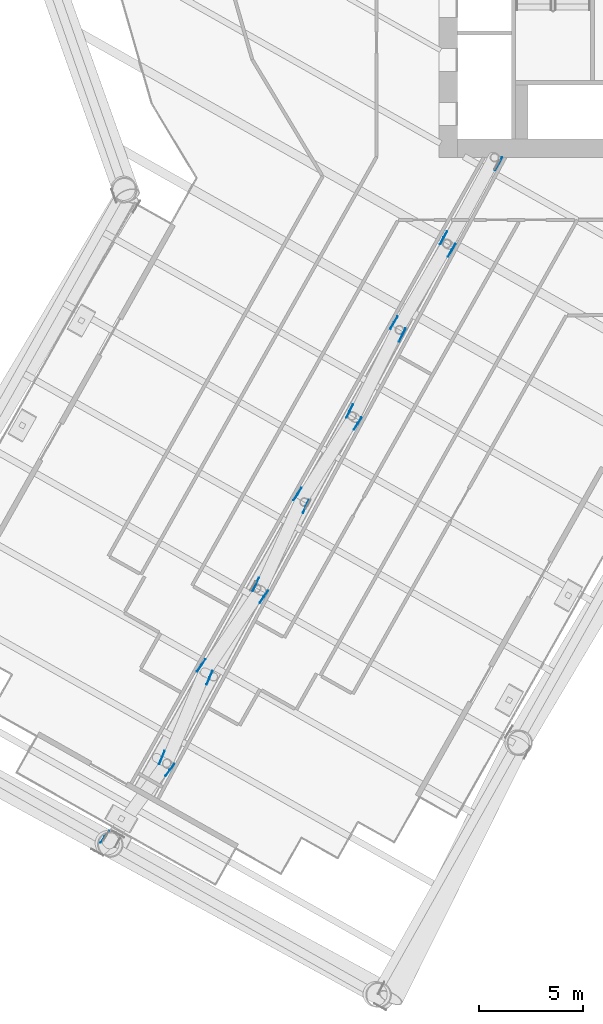
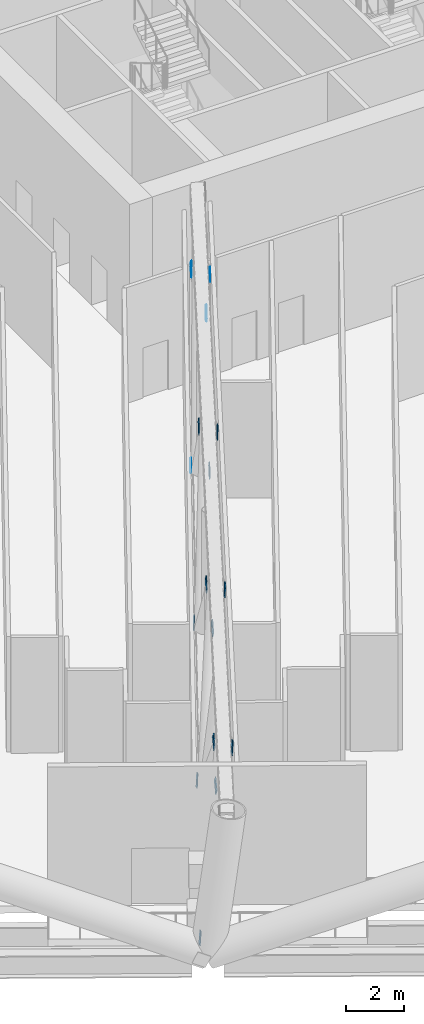
# One storey, part 18 of 39: 16 discrete accessories.
"""IFC4 building model written with IfcOpenShell, lengths in metres."""

from ifc_helpers import new_model, si_unit, direction, frame, origin, origin_2d, place, context, subcontext, project, spatial, rectangle, extrude, material, material_profile, profile_set, type_object, element, save


model = new_model("IFC4")

# Units and contexts
model_context = context("Model", 3, precision=1e-05, world=origin(), true_north=direction((0.0, 1.0)))
body_context = subcontext(model_context, "Body", "Model", "MODEL_VIEW")
ifc_project = project(units=[si_unit("LENGTHUNIT", "METRE"), si_unit("AREAUNIT", "SQUARE_METRE"), si_unit("VOLUMEUNIT", "CUBIC_METRE"), si_unit("PLANEANGLEUNIT", "RADIAN"), si_unit("MASSUNIT", "GRAM", prefix="KILO")], contexts=[model_context])

# Site, building, storey
site_placement = place(None, origin())
site = spatial("IfcSite", under=ifc_project, at=site_placement, CompositionType="ELEMENT")
building_placement = place(site_placement, origin())
building = spatial("IfcBuilding", under=site, at=building_placement, Name="Tarsis Ring Headquarters", CompositionType="ELEMENT")
storey_placement = place(building_placement, frame((0.0, 0.0, 86.800048828125)))
storey = spatial("IfcBuildingStorey", under=building, at=storey_placement, Name="L19", CompositionType="ELEMENT", Elevation=86.800048828125)

# Discrete accessories
ifc_material = material(Name="Structural steel S355", Category="steel")
ifc_material_profile = material_profile(ifc_material, rectangle(XDim=0.02490234375, YDim=0.5, at=origin_2d()), Name="PL 25x500")
ifc_profile_set = profile_set([ifc_material_profile], Name="Structural steel S355")
discrete_accessory_type = type_object("IfcDiscreteAccessoryType", Name="Gusset plate Outrigger 25", PredefinedType="BRACKET", material=ifc_profile_set)
for number, where, z_axis, x_axis, name in (
    (1, (-7.042236328125, -13.151123046875, 0.25390625), (-0.315852271926, -0.58386293234, 0.74789131467), (0.879548491483, -0.475809259189, 0.0), "Gusset plate GP1"),
    (2, (-9.85400390625, -17.013427734375, 5.5859375), (0.315967616801, 0.584076150996, -0.747676076233), (-0.879548491483, 0.475809259189, 0.0), "Gusset plate GP1"),
    (3, (-9.301025390625, -17.32470703125, 5.5859375), (-0.335886371821, -0.573154942613, -0.747444818688), (0.862764298144, -0.505606334858, 0.0), "Gusset plate GP1"),
):
    element("IfcDiscreteAccessory", number, at=place(storey_placement, frame(where, z_axis=z_axis, x_axis=x_axis)), inside=storey, type_object=discrete_accessory_type, Name=name, PredefinedType="BRACKET", context=body_context, shape_type="SweptSolid", body=[
        extrude(rectangle(XDim=0.02490234375, YDim=0.5, at=origin_2d()), origin(), (0.0, 0.0, 1.0), 0.5),
    ])
discrete_accessory_placement = place(storey_placement, frame((-12.241943359375, -21.091064453125, 0.25390625), z_axis=(0.335547033798, 0.572920917969, 0.747776577503), x_axis=(-0.862897109888, 0.505379637249, 0.0)))
element("IfcDiscreteAccessory", 4, at=discrete_accessory_placement, inside=storey, type_object=discrete_accessory_type, Name="Gusset plate GP1", PredefinedType="BRACKET", context=body_context, shape_type="SweptSolid", body=[
    extrude(rectangle(XDim=0.02490234375, YDim=0.5, at=origin_2d()), origin(), (0.0, 0.0, 1.0), 0.499755859375),
])
for number, where, z_axis, x_axis, name in (
    (5, (-11.684326171875, -21.39306640625, 0.25390625), (-0.29596964581, -0.594381285398, 0.747738494614), (0.8951615289, -0.445741895245, 0.0), "Gusset plate GP1"),
    (6, (-14.3662109375, -25.351806640625, 5.5859375), (0.296415165145, 0.594295314632, -0.747630342401), (-0.894867939629, 0.446331010152, 0.0), "Gusset plate GP1"),
    (7, (-13.81396484375, -25.662841796875, 5.5859375), (-0.354983600247, -0.562016676595, -0.747076902859), (0.845471447835, -0.534020627781, 0.0), "Gusset plate GP1"),
    (8, (-16.883544921875, -29.33349609375, 0.25390625), (0.354983600247, 0.562016676595, 0.747076902859), (-0.845471447835, 0.534020627781, 0.0), "Gusset plate GP1"),
    (9, (-16.32666015625, -29.634765625, 0.25390625), (-0.276399677527, -0.605051590912, 0.746669800245), (0.9095854795, -0.415516853428, 0.0), "Gusset plate GP1"),
    (10, (-18.878173828125, -33.6904296875, 5.5859375), (0.276399677527, 0.605051590912, -0.746669800245), (-0.9095854795, 0.415516853428, 0.0), "Gusset plate GP1"),
    (11, (-18.3271484375, -34.000732421875, 5.5859375), (-0.374004623177, -0.550265287625, -0.746544476289), (0.827049325992, -0.562129355554, 0.0), "Gusset plate GP1"),
    (12, (-21.524658203125, -37.575927734375, 0.25390625), (0.374004623177, 0.550265287625, 0.746544476289), (-0.827049325992, 0.562129355554, 0.0), "Gusset plate GP1"),
    (13, (-20.96923828125, -37.87646484375, 0.25390625), (-0.256783873428, -0.615109658781, 0.745454324571), (0.922816690521, -0.385239348582, 0.0), "Gusset plate GP1"),
    (14, (-23.389892578125, -42.029052734375, 5.5859375), (0.256860986058, 0.614806048378, -0.745678185761), (-0.922707886081, 0.385499879332, 0.0), "Gusset plate GP1"),
    (15, (-22.840576171875, -42.33837890625, 5.5859375), (-0.393112990554, -0.538638047927, -0.745205495137), (0.807753247933, -0.589520729452, 0.0), "Gusset plate GP1"),
    (16, (-26.16552734375, -45.81884765625, 0.25390625), (0.393009580832, 0.538984567998, 0.745009466272), (-0.808007530216, 0.589172157449, 0.0), "Gusset plate GP1"),
):
    element("IfcDiscreteAccessory", number, at=place(storey_placement, frame(where, z_axis=z_axis, x_axis=x_axis)), inside=storey, type_object=discrete_accessory_type, Name=name, PredefinedType="BRACKET", context=body_context, shape_type="SweptSolid", body=[
        extrude(rectangle(XDim=0.02490234375, YDim=0.5, at=origin_2d()), origin(), (0.0, 0.0, 1.0), 0.5),
    ])

save(model, "model.ifc")
